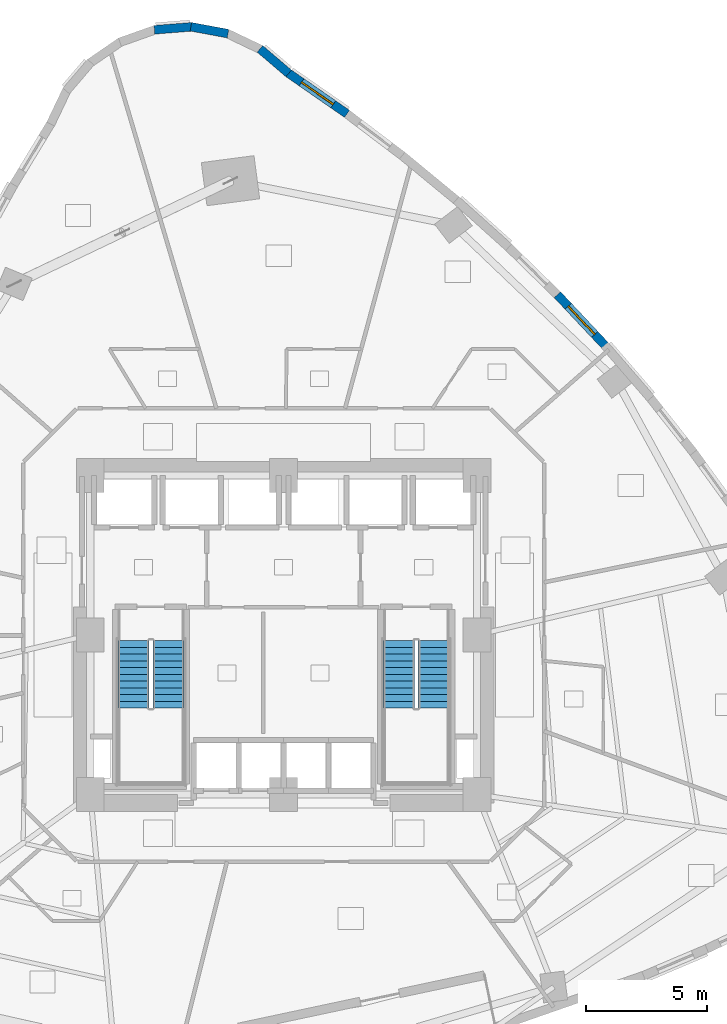
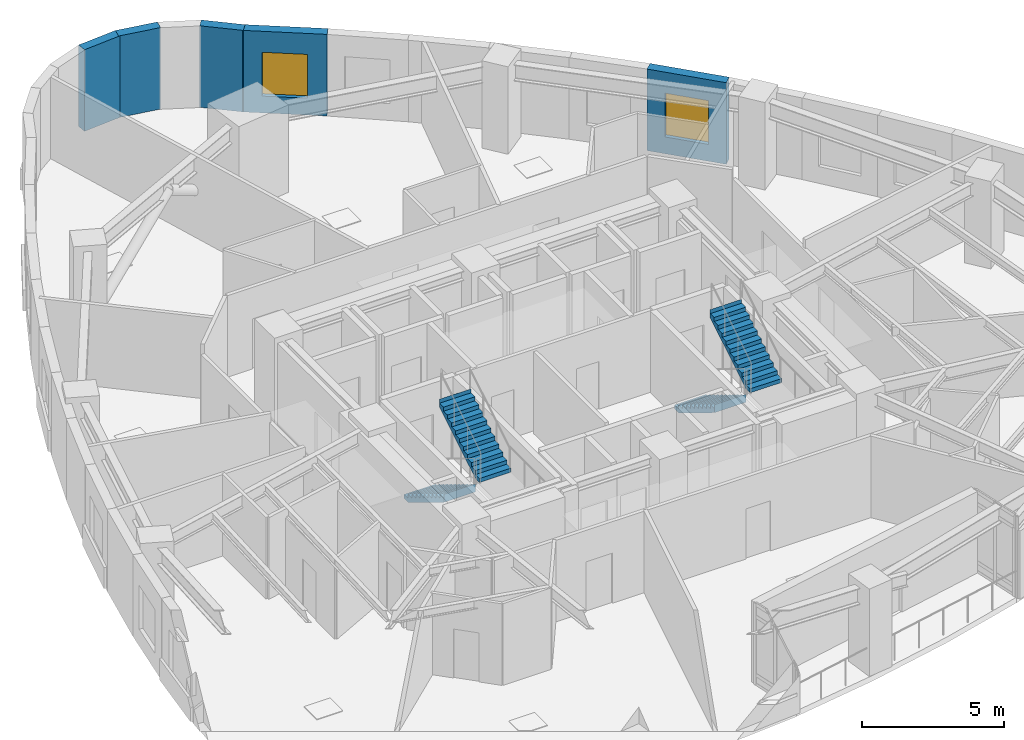
# One storey, part 9 of 12: 5 walls, 4 stair flights, 2 windows, 2 openings, 2 elements without a shape of their own.
"""IFC4 building model written with IfcOpenShell, lengths in metres."""

from ifc_helpers import new_model, si_unit, direction, frame, frame_2d, origin, place, context, subcontext, project, spatial, polyline, rectangle, outline, extrude, material, layer, layer_set, type_object, element, fill, aggregate, save


model = new_model("IFC4")

# Units and contexts
model_context = context("Model", 3, precision=1e-05, world=origin(), true_north=direction((0.0, 1.0)))
body_context = subcontext(model_context, "Body", "Model", "MODEL_VIEW")
ifc_project = project(units=[si_unit("LENGTHUNIT", "METRE"), si_unit("AREAUNIT", "SQUARE_METRE"), si_unit("VOLUMEUNIT", "CUBIC_METRE"), si_unit("PLANEANGLEUNIT", "RADIAN"), si_unit("MASSUNIT", "GRAM", prefix="KILO")], contexts=[model_context])

# Site, building, storey
site_placement = place(None, origin())
site = spatial("IfcSite", under=ifc_project, at=site_placement, CompositionType="ELEMENT")
building_placement = place(site_placement, origin())
building = spatial("IfcBuilding", under=site, at=building_placement, Name="Ndelora Gate Hotel", CompositionType="ELEMENT")
storey_placement = place(building_placement, frame((0.0, 0.0, 71.75)))
storey = spatial("IfcBuildingStorey", under=building, at=storey_placement, Name="L17", CompositionType="ELEMENT", Elevation=71.75)

# Walls
ifc_material_1 = material(Name="Clay Brick Masonry", Category="masonry")
ifc_layer = layer(ifc_material_1, 0.360107421875)
ifc_layer_set = layer_set([ifc_layer], Name="Clay Brick Masonry")
wall_type = type_object("IfcWallType", Name="WL-BRICK-360", PredefinedType="SOLIDWALL", material=ifc_layer_set)
wall_1_placement = place(storey_placement, frame((-0.978515625, 24.255615234375, 0.0), z_axis=(0.0, 0.0, 1.0), x_axis=(0.760412216577, -0.649440729305, 0.0)))
element("IfcWall", 1, at=wall_1_placement, inside=storey, type_object=wall_type, Name="L17 Tower Brick Pier-and-Spandrel Wall TWR-1", PredefinedType="SOLIDWALL", context=body_context, shape_type="SweptSolid", body=[
    extrude(rectangle(XDim=1.564208984375, YDim=0.360107421875, at=frame_2d((0.7822265625, 0.0))), origin(), (0.0, 0.0, 1.0), 3.5),
])
wall_2_placement = place(storey_placement, frame((-3.83935546875, 25.171630859375, 0.0), z_axis=(0.0, 0.0, 1.0), x_axis=(0.983239538779, -0.182318428527, 0.0)))
element("IfcWall", 2, at=wall_2_placement, inside=storey, type_object=wall_type, Name="L17 Tower Brick Pier-and-Spandrel Wall TWR-3", PredefinedType="SOLIDWALL", context=body_context, shape_type="SweptSolid", body=[
    extrude(rectangle(XDim=1.56396484375, YDim=0.360107421875, at=frame_2d((0.781982421875, 0.0))), origin(), (0.0, 0.0, 1.0), 3.5),
])
wall_3_placement = place(storey_placement, frame((-5.34912109375, 25.04638671875, 0.0), z_axis=(0.0, 0.0, 1.0), x_axis=(0.99691327675, 0.078510627557, 0.0)))
element("IfcWall", 3, at=wall_3_placement, inside=storey, type_object=wall_type, Name="L17 Tower Brick Pier-and-Spandrel Wall TWR-4", PredefinedType="SOLIDWALL", context=body_context, shape_type="SweptSolid", body=[
    extrude(rectangle(XDim=1.564208984375, YDim=0.360107421875, at=frame_2d((0.7822265625, 0.0))), origin(), (0.0, 0.0, 1.0), 3.5),
])

# Wall, opening, window
wall_4_placement = place(storey_placement, frame((11.32958984375, 14.08203125, 0.0), z_axis=(0.0, 0.0, 1.0), x_axis=(0.684867242206, -0.728667867106, 0.0)))
wall_4 = element("IfcWall", 4, at=wall_4_placement, inside=storey, type_object=wall_type, Name="L17 Tower Brick Pier-and-Spandrel Wall TWR-53", PredefinedType="SOLIDWALL", context=body_context, shape_type="SweptSolid", body=[
    extrude(rectangle(XDim=2.90966796875, YDim=0.360107421875, at=frame_2d((1.454833984375, 0.0))), origin(), (0.0, 0.0, 1.0), 3.5),
])
opening_1_placement = place(wall_4_placement, frame((0.65478515625, 0.0, 0.719970703125)))
opening_1 = element("IfcOpeningElement", 5, at=opening_1_placement, cuts=wall_4, Name="Opening W03", PredefinedType="OPENING", context=body_context, shape_type="SweptSolid", body=[
    extrude(rectangle(XDim=1.60009765625, YDim=1.8798828125, at=frame_2d((0.800048828125, 0.93994140625))), frame((0.0, 0.18994140625, 0.0), z_axis=(0.0, -1.0, 0.0), x_axis=(1.0, 0.0, 0.0)), (0.0, 0.0, 1.0), 0.380126953125),
])
ifc_material_2 = material(Name="Insulated Low-E Double Glazing in Bronze Aluminium Frame", Category="aluminium")
window_type_1 = type_object("IfcWindowType", Name="WN-CORN-2100", PartitioningType="SINGLE_PANEL", PredefinedType="WINDOW", material=ifc_material_2)
window_1_placement = place(opening_1_placement, origin())
window_1 = element("IfcWindow", 6, at=window_1_placement, inside=storey, type_object=window_type_1, Name="L17 Deep-Set Brick-Pier Window W03", OverallHeight=1.8798828125, OverallWidth=1.60009765625, PartitioningType="SINGLE_PANEL", PredefinedType="WINDOW", context=body_context, shape_type="SweptSolid", body=[
    extrude(rectangle(XDim=1.60009765625, YDim=1.8798828125, at=frame_2d((0.800048828125, 0.93994140625))), frame((0.0, 0.030029296875, 0.0), z_axis=(0.0, -1.0, 0.0), x_axis=(1.0, 0.0, 0.0)), (0.0, 0.0, 1.0), 0.06005859375),
])
fill(opening_1, window_1)

wall_5_placement = place(storey_placement, frame((0.17138671875, 23.270263671875, 0.0), z_axis=(0.0, 0.0, 1.0), x_axis=(0.821452927514, -0.570276325897, 0.0)))
wall_5 = element("IfcWall", 7, at=wall_5_placement, inside=storey, type_object=wall_type, Name="L17 Tower Brick Pier-and-Spandrel Wall TWR-58", PredefinedType="SOLIDWALL", context=body_context, shape_type="SweptSolid", body=[
    extrude(rectangle(XDim=2.98681640625, YDim=0.360107421875, at=frame_2d((1.493408203125, 0.0))), origin(), (0.0, 0.0, 1.0), 3.5),
])
opening_2_placement = place(wall_5_placement, frame((0.693603515625, 0.0, 0.719970703125)))
opening_2 = element("IfcOpeningElement", 8, at=opening_2_placement, cuts=wall_5, Name="Opening W01", PredefinedType="OPENING", context=body_context, shape_type="SweptSolid", body=[
    extrude(rectangle(XDim=1.60009765625, YDim=1.8798828125, at=frame_2d((0.800048828125, 0.93994140625))), frame((0.0, 0.18994140625, 0.0), z_axis=(0.0, -1.0, 0.0), x_axis=(1.0, 0.0, 0.0)), (0.0, 0.0, 1.0), 0.380126953125),
])
window_type_2 = type_object("IfcWindowType", Name="WN-DEEP-1600", PartitioningType="SINGLE_PANEL", PredefinedType="WINDOW", material=ifc_material_2)
window_2_placement = place(opening_2_placement, origin())
window_2 = element("IfcWindow", 9, at=window_2_placement, inside=storey, type_object=window_type_2, Name="L17 Deep-Set Brick-Pier Window W01", OverallHeight=1.8798828125, OverallWidth=1.60009765625, PartitioningType="SINGLE_PANEL", PredefinedType="WINDOW", context=body_context, shape_type="SweptSolid", body=[
    extrude(rectangle(XDim=1.60009765625, YDim=1.8798828125, at=frame_2d((0.800048828125, 0.93994140625))), frame((0.0, 0.030029296875, 0.0), z_axis=(0.0, -1.0, 0.0), x_axis=(1.0, 0.0, 0.0)), (0.0, 0.0, 1.0), 0.06005859375),
])
fill(opening_2, window_2)

# Stair, stair flights
ifc_material_3 = material(Name="Precast concrete C40/50", Category="concrete")
stair_type = type_object("IfcStairType", Name="STR-DOG-CORE", PredefinedType="HALF_TURN_STAIR", material=ifc_material_3)
stair_1_placement = place(storey_placement, origin())
stair_1 = element("IfcStair", 10, at=stair_1_placement, inside=storey, type_object=stair_type, Name="L17 Protected Core Exit Stair ST4", PredefinedType="HALF_TURN_STAIR")
stair_flight_type = type_object("IfcStairFlightType", Name="STF-PRECAST", PredefinedType="STRAIGHT", material=ifc_material_3)
stair_flight_1_placement = place(storey_placement, frame((-6.2099609375, -0.22998046875, 0.0), z_axis=(0.0, 0.0, 1.0), x_axis=(0.0, -1.0, 0.0)))
stair_flight_1 = element("IfcStairFlight", 11, at=stair_flight_1_placement, type_object=stair_flight_type, Name="ST4 flight 1", NumberOfRisers=11, NumberOfTreads=10, PredefinedType="STRAIGHT", RiserHeight=0.170454545, TreadLength=0.28, context=body_context, shape_type="SweptSolid", body=[
    extrude(outline(polyline([(-0.00048828125, 0.0), (-0.00048828125, 0.17041015625), (0.0, 0.17041015625), (0.280029296875, 0.17041015625), (0.280029296875, 0.3408203125), (0.56005859375, 0.3408203125), (0.56005859375, 0.511474609375), (0.840087890625, 0.511474609375), (0.840087890625, 0.681884765625), (1.1201171875, 0.681884765625), (1.1201171875, 0.852294921875), (1.39990234375, 0.852294921875), (1.39990234375, 1.022705078125), (1.679931640625, 1.022705078125), (1.679931640625, 1.193115234375), (1.9599609375, 1.193115234375), (1.9599609375, 1.363525390625), (2.239990234375, 1.363525390625), (2.239990234375, 1.5341796875), (2.52001953125, 1.5341796875), (2.52001953125, 1.70458984375), (2.800048828125, 1.70458984375), (2.800048828125, 1.875), (2.800537109375, 1.875), (2.800537109375, 1.695068359375), (2.800048828125, 1.529052734375), (0.288330078125, 0.0), (-0.00048828125, 0.0)])), frame((0.0, 0.64013671875, 0.0), z_axis=(0.0, -1.0, 0.0), x_axis=(1.0, 0.0, 0.0)), (0.0, 0.0, 1.0), 1.280029296875),
])
stair_flight_2_placement = place(storey_placement, frame((-4.77001953125, -3.030029296875, 1.875), z_axis=(0.0, 0.0, 1.0), x_axis=(0.0, 1.0, 0.0)))
stair_flight_2 = element("IfcStairFlight", 12, at=stair_flight_2_placement, type_object=stair_flight_type, Name="ST4 flight 2", NumberOfRisers=11, NumberOfTreads=10, PredefinedType="STRAIGHT", RiserHeight=0.170454545, TreadLength=0.28, context=body_context, shape_type="SweptSolid", body=[
    extrude(outline(polyline([(-0.00048828125, 0.0), (-0.00048828125, 0.17041015625), (0.0, 0.17041015625), (0.280029296875, 0.17041015625), (0.280029296875, 0.3408203125), (0.56005859375, 0.3408203125), (0.56005859375, 0.511474609375), (0.840087890625, 0.511474609375), (0.840087890625, 0.681884765625), (1.1201171875, 0.681884765625), (1.1201171875, 0.852294921875), (1.39990234375, 0.852294921875), (1.39990234375, 1.022705078125), (1.679931640625, 1.022705078125), (1.679931640625, 1.193115234375), (1.9599609375, 1.193115234375), (1.9599609375, 1.363525390625), (2.239990234375, 1.363525390625), (2.239990234375, 1.5341796875), (2.52001953125, 1.5341796875), (2.52001953125, 1.70458984375), (2.800048828125, 1.70458984375), (2.800048828125, 1.875), (2.800537109375, 1.875), (2.800537109375, 1.695068359375), (2.800048828125, 1.529052734375), (0.288330078125, 0.0), (-0.00048828125, 0.0)])), frame((0.0, 0.64013671875, 0.0), z_axis=(0.0, -1.0, 0.0), x_axis=(1.0, 0.0, 0.0)), (0.0, 0.0, 1.0), 1.280029296875),
])
aggregate(stair_1, [stair_flight_1, stair_flight_2])

stair_2_placement = place(storey_placement, origin())
stair_2 = element("IfcStair", 13, at=stair_2_placement, inside=storey, type_object=stair_type, Name="L17 Protected Core Exit Stair ST5", PredefinedType="HALF_TURN_STAIR")
stair_flight_3_placement = place(storey_placement, frame((4.77001953125, -0.22998046875, 0.0), z_axis=(0.0, 0.0, 1.0), x_axis=(0.0, -1.0, 0.0)))
stair_flight_3 = element("IfcStairFlight", 14, at=stair_flight_3_placement, type_object=stair_flight_type, Name="ST5 flight 1", NumberOfRisers=11, NumberOfTreads=10, PredefinedType="STRAIGHT", RiserHeight=0.170454545, TreadLength=0.28, context=body_context, shape_type="SweptSolid", body=[
    extrude(outline(polyline([(-0.00048828125, 0.0), (-0.00048828125, 0.17041015625), (0.0, 0.17041015625), (0.280029296875, 0.17041015625), (0.280029296875, 0.3408203125), (0.56005859375, 0.3408203125), (0.56005859375, 0.511474609375), (0.840087890625, 0.511474609375), (0.840087890625, 0.681884765625), (1.1201171875, 0.681884765625), (1.1201171875, 0.852294921875), (1.39990234375, 0.852294921875), (1.39990234375, 1.022705078125), (1.679931640625, 1.022705078125), (1.679931640625, 1.193115234375), (1.9599609375, 1.193115234375), (1.9599609375, 1.363525390625), (2.239990234375, 1.363525390625), (2.239990234375, 1.5341796875), (2.52001953125, 1.5341796875), (2.52001953125, 1.70458984375), (2.800048828125, 1.70458984375), (2.800048828125, 1.875), (2.800537109375, 1.875), (2.800537109375, 1.695068359375), (2.800048828125, 1.529052734375), (0.288330078125, 0.0), (-0.00048828125, 0.0)])), frame((0.0, 0.64013671875, 0.0), z_axis=(0.0, -1.0, 0.0), x_axis=(1.0, 0.0, 0.0)), (0.0, 0.0, 1.0), 1.280029296875),
])
stair_flight_4_placement = place(storey_placement, frame((6.2099609375, -3.030029296875, 1.875), z_axis=(0.0, 0.0, 1.0), x_axis=(0.0, 1.0, 0.0)))
stair_flight_4 = element("IfcStairFlight", 15, at=stair_flight_4_placement, type_object=stair_flight_type, Name="ST5 flight 2", NumberOfRisers=11, NumberOfTreads=10, PredefinedType="STRAIGHT", RiserHeight=0.170454545, TreadLength=0.28, context=body_context, shape_type="SweptSolid", body=[
    extrude(outline(polyline([(-0.00048828125, 0.0), (-0.00048828125, 0.17041015625), (0.0, 0.17041015625), (0.280029296875, 0.17041015625), (0.280029296875, 0.3408203125), (0.56005859375, 0.3408203125), (0.56005859375, 0.511474609375), (0.840087890625, 0.511474609375), (0.840087890625, 0.681884765625), (1.1201171875, 0.681884765625), (1.1201171875, 0.852294921875), (1.39990234375, 0.852294921875), (1.39990234375, 1.022705078125), (1.679931640625, 1.022705078125), (1.679931640625, 1.193115234375), (1.9599609375, 1.193115234375), (1.9599609375, 1.363525390625), (2.239990234375, 1.363525390625), (2.239990234375, 1.5341796875), (2.52001953125, 1.5341796875), (2.52001953125, 1.70458984375), (2.800048828125, 1.70458984375), (2.800048828125, 1.875), (2.800537109375, 1.875), (2.800537109375, 1.695068359375), (2.800048828125, 1.529052734375), (0.288330078125, 0.0), (-0.00048828125, 0.0)])), frame((0.0, 0.64013671875, 0.0), z_axis=(0.0, -1.0, 0.0), x_axis=(1.0, 0.0, 0.0)), (0.0, 0.0, 1.0), 1.280029296875),
])
aggregate(stair_2, [stair_flight_3, stair_flight_4])

save(model, "model.ifc")
